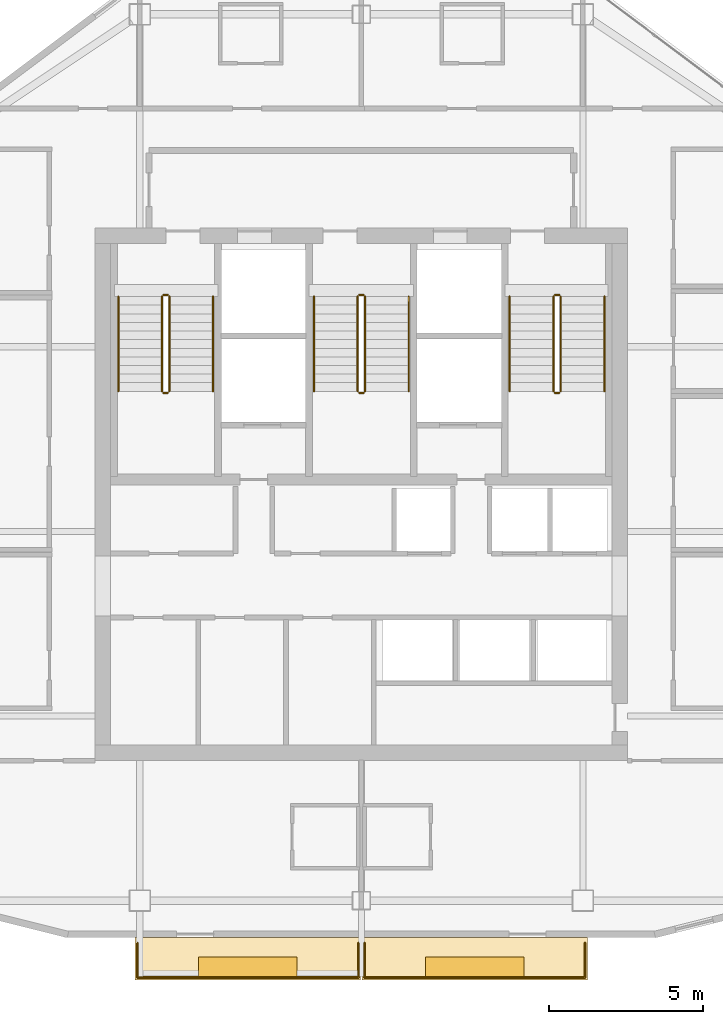
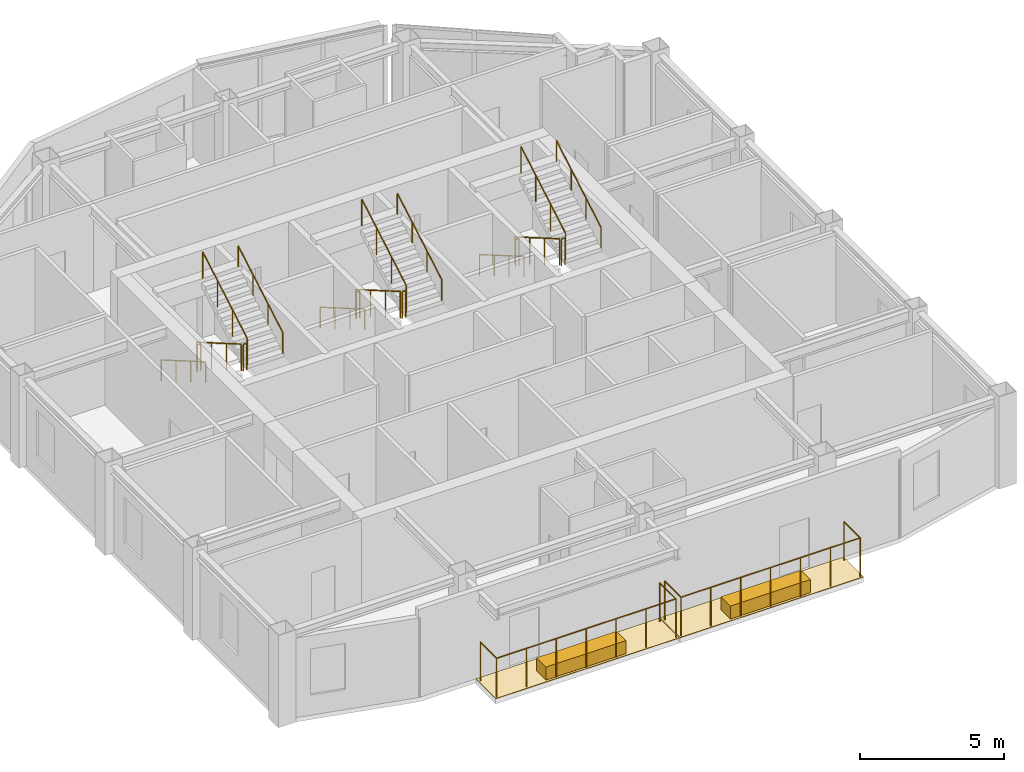
# One storey, part 9 of 10: 22 railings, 4 coverings.
"""IFC4 building model written with IfcOpenShell, lengths in metres."""

from ifc_helpers import new_model, si_unit, direction, frame, origin, origin_2d, place, context, subcontext, project, spatial, polyline, rectangle, circle, outline, extrude, material, layer, layer_set, type_object, element, save


model = new_model("IFC4")

# Units and contexts
model_context = context("Model", 3, precision=1e-05, world=origin(), true_north=direction((0.0, 1.0)))
body_context = subcontext(model_context, "Body", "Model", "MODEL_VIEW")
ifc_project = project(units=[si_unit("LENGTHUNIT", "METRE"), si_unit("AREAUNIT", "SQUARE_METRE"), si_unit("VOLUMEUNIT", "CUBIC_METRE"), si_unit("PLANEANGLEUNIT", "RADIAN"), si_unit("MASSUNIT", "GRAM", prefix="KILO")], contexts=[model_context])

# Site, building, storey
site_placement = place(None, origin())
site = spatial("IfcSite", under=ifc_project, at=site_placement, CompositionType="ELEMENT")
building_placement = place(site_placement, origin())
building = spatial("IfcBuilding", under=site, at=building_placement, Name="Haolan Belvedere Tower", CompositionType="ELEMENT")
storey_placement = place(building_placement, frame((0.0, 0.0, 286.10009765625)))
storey = spatial("IfcBuildingStorey", under=building, at=storey_placement, Name="L72", CompositionType="ELEMENT", Elevation=286.10009765625)

# Coverings
ifc_material_1 = material(Name="Engineered lightweight planted garden soil substrate", Category="masonry")
ifc_layer_1 = layer(ifc_material_1, 0.550048828125, Name="Engineered lightweight planted garden soil substrate")
ifc_layer_set_1 = layer_set([ifc_layer_1], Name="Engineered lightweight planted garden soil substrate")
covering_type_1 = type_object("IfcCoveringType", Name="COV-PLANT-550", PredefinedType="MEMBRANE", material=ifc_layer_set_1)
for number, where, z_axis, x_axis, name in (
    (1, (34.715087890625, 19.43994140625, 0.0), (0.0, 0.0, 1.0), (1.0, 0.0, 0.0), "L72 structural tree balcony PLANTER box 1"),
    (2, (42.0849609375, 19.43994140625, 0.0), (0.0, 0.0, 1.0), (1.0, 0.0, 0.0), "L72 structural tree balcony PLANTER box 2"),
):
    element("IfcCovering", number, at=place(storey_placement, frame(where, z_axis=z_axis, x_axis=x_axis)), inside=storey, type_object=covering_type_1, Name=name, PredefinedType="MEMBRANE", context=body_context, shape_type="SweptSolid", body=[
        extrude(rectangle(XDim=3.199951171875, YDim=0.64990234375, at=origin_2d()), origin(), (0.0, 0.0, 1.0), 0.550048828125),
    ])
ifc_material_2 = material(Name="Elastomeric waterproof roofing membrane and stone pavers", Category="masonry")
ifc_layer_2 = layer(ifc_material_2, 0.02001953125, Name="Elastomeric waterproof roofing membrane and stone pavers")
ifc_layer_set_2 = layer_set([ifc_layer_2], Name="Elastomeric waterproof roofing membrane and stone pavers")
covering_type_2 = type_object("IfcCoveringType", Name="COV-ROOF-20", PredefinedType="ROOFING", material=ifc_layer_set_2)
covering_1_placement = place(storey_placement, frame((0.0, 0.0, -0.02001953125)))
element("IfcCovering", 3, at=covering_1_placement, inside=storey, type_object=covering_type_2, Name="L72 tree-balcony waterproof membrane 1", PredefinedType="ROOFING", context=body_context, shape_type="SweptSolid", body=[
    extrude(outline(polyline([(31.050048828125, 19.02001953125), (38.3798828125, 19.02001953125), (38.3798828125, 20.39990234375), (31.050048828125, 20.39990234375), (31.050048828125, 19.02001953125)])), origin(), (0.0, 0.0, 1.0), 0.02001953125),
])
covering_2_placement = place(storey_placement, frame((0.0, 0.0, -0.02001953125)))
element("IfcCovering", 4, at=covering_2_placement, inside=storey, type_object=covering_type_2, Name="L72 tree-balcony waterproof membrane 2", PredefinedType="ROOFING", context=body_context, shape_type="SweptSolid", body=[
    extrude(outline(polyline([(38.419921875, 19.02001953125), (45.75, 19.02001953125), (45.75, 20.39990234375), (38.419921875, 20.39990234375), (38.419921875, 19.02001953125)])), origin(), (0.0, 0.0, 1.0), 0.02001953125),
])

# Railings
ifc_material_3 = material(Name="Brushed stainless steel 304", Category="steel")
railing_type_1 = type_object("IfcRailingType", Name="RL-STAIR-GRD-1150", PredefinedType="GUARDRAIL", material=ifc_material_3)
railing_1_placement = place(storey_placement, frame((31.919921875, 41.22998046875, 0.162353515625)))
element("IfcRailing", 5, at=railing_1_placement, inside=storey, type_object=railing_type_1, Name="L72 ST1 stair guard 1", PredefinedType="GUARDRAIL", context=body_context, shape_type="SweptSolid", body=[
    extrude(circle(Radius=0.02392578125, at=origin_2d()), frame((0.0, 0.0, 1.1259765625), z_axis=(0.0, -0.864890721111, 0.501960198159), x_axis=(1.0, 0.0, 0.0)), (0.0, 0.0, 1.0), 3.561279296875),
    extrude(circle(Radius=0.02099609375, at=origin_2d()), origin(), (0.0, 0.0, 1.0), 1.101806640625),
    extrude(circle(Radius=0.02099609375, at=origin_2d()), frame((0.0, -1.026611328125, 0.595947265625)), (0.0, 0.0, 1.0), 1.101806640625),
    extrude(circle(Radius=0.02099609375, at=origin_2d()), frame((0.0, -2.053466796875, 1.191650390625)), (0.0, 0.0, 1.0), 1.101806640625),
    extrude(circle(Radius=0.02099609375, at=origin_2d()), frame((0.0, -3.080078125, 1.78759765625)), (0.0, 0.0, 1.0), 1.101806640625),
])
railing_2_placement = place(storey_placement, frame((31.969970703125, 38.10009765625, 1.949951171875)))
element("IfcRailing", 6, at=railing_2_placement, inside=storey, type_object=railing_type_1, Name="L72 ST1 stair guard 2", PredefinedType="GUARDRAIL", context=body_context, shape_type="SweptSolid", body=[
    extrude(circle(Radius=0.02392578125, at=origin_2d()), frame((0.0, 0.0, 1.1259765625), z_axis=(1.0, 0.0, 0.0), x_axis=(0.0, 1.0, 0.0)), (0.0, 0.0, 1.0), 0.14013671875),
    extrude(circle(Radius=0.02099609375, at=origin_2d()), origin(), (0.0, 0.0, 1.0), 1.101806640625),
    extrude(circle(Radius=0.02099609375, at=origin_2d()), frame((0.14013671875, 0.0, 0.0)), (0.0, 0.0, 1.0), 1.101806640625),
])
railing_3_placement = place(storey_placement, frame((32.159912109375, 38.14990234375, 2.1123046875)))
element("IfcRailing", 7, at=railing_3_placement, inside=storey, type_object=railing_type_1, Name="L72 ST1 stair guard 3", PredefinedType="GUARDRAIL", context=body_context, shape_type="SweptSolid", body=[
    extrude(circle(Radius=0.02392578125, at=origin_2d()), frame((0.0, 0.0, 1.1259765625), z_axis=(0.0, 0.864890721111, 0.501960198159), x_axis=(-1.0, 0.0, 0.0)), (0.0, 0.0, 1.0), 3.561279296875),
    extrude(circle(Radius=0.02099609375, at=origin_2d()), origin(), (0.0, 0.0, 1.0), 1.101806640625),
    extrude(circle(Radius=0.02099609375, at=origin_2d()), frame((0.0, 1.026611328125, 0.595947265625)), (0.0, 0.0, 1.0), 1.101806640625),
    extrude(circle(Radius=0.02099609375, at=origin_2d()), frame((0.0, 2.053466796875, 1.191650390625)), (0.0, 0.0, 1.0), 1.101806640625),
    extrude(circle(Radius=0.02099609375, at=origin_2d()), frame((0.0, 3.080078125, 1.78759765625)), (0.0, 0.0, 1.0), 1.101806640625),
])
railing_4_placement = place(storey_placement, frame((31.969970703125, 41.280029296875, 0.0)))
element("IfcRailing", 8, at=railing_4_placement, inside=storey, type_object=railing_type_1, Name="L72 ST1 stair guard 4", PredefinedType="GUARDRAIL", context=body_context, shape_type="SweptSolid", body=[
    extrude(circle(Radius=0.02392578125, at=origin_2d()), frame((0.0, 0.0, 1.1259765625), z_axis=(1.0, 0.0, 0.0), x_axis=(0.0, 1.0, 0.0)), (0.0, 0.0, 1.0), 0.14013671875),
    extrude(circle(Radius=0.02099609375, at=origin_2d()), origin(), (0.0, 0.0, 1.0), 1.101806640625),
    extrude(circle(Radius=0.02099609375, at=origin_2d()), frame((0.14013671875, 0.0, 0.0)), (0.0, 0.0, 1.0), 1.101806640625),
])
railing_5_placement = place(storey_placement, frame((38.280029296875, 41.22998046875, 0.162353515625)))
element("IfcRailing", 9, at=railing_5_placement, inside=storey, type_object=railing_type_1, Name="L72 ST3 stair guard 1", PredefinedType="GUARDRAIL", context=body_context, shape_type="SweptSolid", body=[
    extrude(circle(Radius=0.02392578125, at=origin_2d()), frame((0.0, 0.0, 1.1259765625), z_axis=(0.0, -0.864890721111, 0.501960198159), x_axis=(1.0, 0.0, 0.0)), (0.0, 0.0, 1.0), 3.561279296875),
    extrude(circle(Radius=0.02099609375, at=origin_2d()), origin(), (0.0, 0.0, 1.0), 1.101806640625),
    extrude(circle(Radius=0.02099609375, at=origin_2d()), frame((0.0, -1.026611328125, 0.595947265625)), (0.0, 0.0, 1.0), 1.101806640625),
    extrude(circle(Radius=0.02099609375, at=origin_2d()), frame((0.0, -2.053466796875, 1.191650390625)), (0.0, 0.0, 1.0), 1.101806640625),
    extrude(circle(Radius=0.02099609375, at=origin_2d()), frame((0.0, -3.080078125, 1.78759765625)), (0.0, 0.0, 1.0), 1.101806640625),
])
railing_6_placement = place(storey_placement, frame((38.330078125, 38.10009765625, 1.949951171875)))
element("IfcRailing", 10, at=railing_6_placement, inside=storey, type_object=railing_type_1, Name="L72 ST3 stair guard 2", PredefinedType="GUARDRAIL", context=body_context, shape_type="SweptSolid", body=[
    extrude(circle(Radius=0.02392578125, at=origin_2d()), frame((0.0, 0.0, 1.1259765625), z_axis=(1.0, 0.0, 0.0), x_axis=(0.0, 1.0, 0.0)), (0.0, 0.0, 1.0), 0.139892578125),
    extrude(circle(Radius=0.02099609375, at=origin_2d()), origin(), (0.0, 0.0, 1.0), 1.101806640625),
    extrude(circle(Radius=0.02099609375, at=origin_2d()), frame((0.139892578125, 0.0, 0.0)), (0.0, 0.0, 1.0), 1.101806640625),
])
railing_7_placement = place(storey_placement, frame((38.52001953125, 38.14990234375, 2.1123046875)))
element("IfcRailing", 11, at=railing_7_placement, inside=storey, type_object=railing_type_1, Name="L72 ST3 stair guard 3", PredefinedType="GUARDRAIL", context=body_context, shape_type="SweptSolid", body=[
    extrude(circle(Radius=0.02392578125, at=origin_2d()), frame((0.0, 0.0, 1.1259765625), z_axis=(0.0, 0.864890721111, 0.501960198159), x_axis=(-1.0, 0.0, 0.0)), (0.0, 0.0, 1.0), 3.561279296875),
    extrude(circle(Radius=0.02099609375, at=origin_2d()), origin(), (0.0, 0.0, 1.0), 1.101806640625),
    extrude(circle(Radius=0.02099609375, at=origin_2d()), frame((0.0, 1.026611328125, 0.595947265625)), (0.0, 0.0, 1.0), 1.101806640625),
    extrude(circle(Radius=0.02099609375, at=origin_2d()), frame((0.0, 2.053466796875, 1.191650390625)), (0.0, 0.0, 1.0), 1.101806640625),
    extrude(circle(Radius=0.02099609375, at=origin_2d()), frame((0.0, 3.080078125, 1.78759765625)), (0.0, 0.0, 1.0), 1.101806640625),
])
railing_8_placement = place(storey_placement, frame((38.330078125, 41.280029296875, 0.0)))
element("IfcRailing", 12, at=railing_8_placement, inside=storey, type_object=railing_type_1, Name="L72 ST3 stair guard 4", PredefinedType="GUARDRAIL", context=body_context, shape_type="SweptSolid", body=[
    extrude(circle(Radius=0.02392578125, at=origin_2d()), frame((0.0, 0.0, 1.1259765625), z_axis=(1.0, 0.0, 0.0), x_axis=(0.0, 1.0, 0.0)), (0.0, 0.0, 1.0), 0.139892578125),
    extrude(circle(Radius=0.02099609375, at=origin_2d()), origin(), (0.0, 0.0, 1.0), 1.101806640625),
    extrude(circle(Radius=0.02099609375, at=origin_2d()), frame((0.139892578125, 0.0, 0.0)), (0.0, 0.0, 1.0), 1.101806640625),
])
railing_9_placement = place(storey_placement, frame((44.639892578125, 41.22998046875, 0.162353515625)))
element("IfcRailing", 13, at=railing_9_placement, inside=storey, type_object=railing_type_1, Name="L72 ST2 stair guard 1", PredefinedType="GUARDRAIL", context=body_context, shape_type="SweptSolid", body=[
    extrude(circle(Radius=0.02392578125, at=origin_2d()), frame((0.0, 0.0, 1.1259765625), z_axis=(0.0, -0.864890721111, 0.501960198159), x_axis=(1.0, 0.0, 0.0)), (0.0, 0.0, 1.0), 3.561279296875),
    extrude(circle(Radius=0.02099609375, at=origin_2d()), origin(), (0.0, 0.0, 1.0), 1.101806640625),
    extrude(circle(Radius=0.02099609375, at=origin_2d()), frame((0.0, -1.026611328125, 0.595947265625)), (0.0, 0.0, 1.0), 1.101806640625),
    extrude(circle(Radius=0.02099609375, at=origin_2d()), frame((0.0, -2.053466796875, 1.191650390625)), (0.0, 0.0, 1.0), 1.101806640625),
    extrude(circle(Radius=0.02099609375, at=origin_2d()), frame((0.0, -3.080078125, 1.78759765625)), (0.0, 0.0, 1.0), 1.101806640625),
])
railing_10_placement = place(storey_placement, frame((44.68994140625, 38.10009765625, 1.949951171875)))
element("IfcRailing", 14, at=railing_10_placement, inside=storey, type_object=railing_type_1, Name="L72 ST2 stair guard 2", PredefinedType="GUARDRAIL", context=body_context, shape_type="SweptSolid", body=[
    extrude(circle(Radius=0.02392578125, at=origin_2d()), frame((0.0, 0.0, 1.1259765625), z_axis=(1.0, 0.0, 0.0), x_axis=(0.0, 1.0, 0.0)), (0.0, 0.0, 1.0), 0.14013671875),
    extrude(circle(Radius=0.02099609375, at=origin_2d()), origin(), (0.0, 0.0, 1.0), 1.101806640625),
    extrude(circle(Radius=0.02099609375, at=origin_2d()), frame((0.14013671875, 0.0, 0.0)), (0.0, 0.0, 1.0), 1.101806640625),
])
railing_11_placement = place(storey_placement, frame((44.8798828125, 38.14990234375, 2.1123046875)))
element("IfcRailing", 15, at=railing_11_placement, inside=storey, type_object=railing_type_1, Name="L72 ST2 stair guard 3", PredefinedType="GUARDRAIL", context=body_context, shape_type="SweptSolid", body=[
    extrude(circle(Radius=0.02392578125, at=origin_2d()), frame((0.0, 0.0, 1.1259765625), z_axis=(0.0, 0.864890721111, 0.501960198159), x_axis=(-1.0, 0.0, 0.0)), (0.0, 0.0, 1.0), 3.561279296875),
    extrude(circle(Radius=0.02099609375, at=origin_2d()), origin(), (0.0, 0.0, 1.0), 1.101806640625),
    extrude(circle(Radius=0.02099609375, at=origin_2d()), frame((0.0, 1.026611328125, 0.595947265625)), (0.0, 0.0, 1.0), 1.101806640625),
    extrude(circle(Radius=0.02099609375, at=origin_2d()), frame((0.0, 2.053466796875, 1.191650390625)), (0.0, 0.0, 1.0), 1.101806640625),
    extrude(circle(Radius=0.02099609375, at=origin_2d()), frame((0.0, 3.080078125, 1.78759765625)), (0.0, 0.0, 1.0), 1.101806640625),
])
railing_12_placement = place(storey_placement, frame((44.68994140625, 41.280029296875, 0.0)))
element("IfcRailing", 16, at=railing_12_placement, inside=storey, type_object=railing_type_1, Name="L72 ST2 stair guard 4", PredefinedType="GUARDRAIL", context=body_context, shape_type="SweptSolid", body=[
    extrude(circle(Radius=0.02392578125, at=origin_2d()), frame((0.0, 0.0, 1.1259765625), z_axis=(1.0, 0.0, 0.0), x_axis=(0.0, 1.0, 0.0)), (0.0, 0.0, 1.0), 0.14013671875),
    extrude(circle(Radius=0.02099609375, at=origin_2d()), origin(), (0.0, 0.0, 1.0), 1.101806640625),
    extrude(circle(Radius=0.02099609375, at=origin_2d()), frame((0.14013671875, 0.0, 0.0)), (0.0, 0.0, 1.0), 1.101806640625),
])
railing_type_2 = type_object("IfcRailingType", Name="RL-STAIR-HND-900", PredefinedType="HANDRAIL", material=ifc_material_3)
railing_13_placement = place(storey_placement, frame((30.5, 41.22998046875, 0.162353515625)))
element("IfcRailing", 17, at=railing_13_placement, inside=storey, type_object=railing_type_2, Name="L72 ST1 stair handrail 1", PredefinedType="HANDRAIL", context=body_context, shape_type="SweptSolid", body=[
    extrude(circle(Radius=0.02392578125, at=origin_2d()), frame((0.0, 0.0, 0.8759765625), z_axis=(0.0, -0.864890721111, 0.501960198159), x_axis=(1.0, 0.0, 0.0)), (0.0, 0.0, 1.0), 3.561279296875),
    extrude(circle(Radius=0.02099609375, at=origin_2d()), origin(), (0.0, 0.0, 1.0), 0.851806640625),
    extrude(circle(Radius=0.02099609375, at=origin_2d()), frame((0.0, -1.026611328125, 0.595947265625)), (0.0, 0.0, 1.0), 0.851806640625),
    extrude(circle(Radius=0.02099609375, at=origin_2d()), frame((0.0, -2.053466796875, 1.191650390625)), (0.0, 0.0, 1.0), 0.851806640625),
    extrude(circle(Radius=0.02099609375, at=origin_2d()), frame((0.0, -3.080078125, 1.78759765625)), (0.0, 0.0, 1.0), 0.851806640625),
])
railing_14_placement = place(storey_placement, frame((33.580078125, 38.14990234375, 2.1123046875)))
element("IfcRailing", 18, at=railing_14_placement, inside=storey, type_object=railing_type_2, Name="L72 ST1 stair handrail 2", PredefinedType="HANDRAIL", context=body_context, shape_type="SweptSolid", body=[
    extrude(circle(Radius=0.02392578125, at=origin_2d()), frame((0.0, 0.0, 0.8759765625), z_axis=(0.0, 0.864890721111, 0.501960198159), x_axis=(-1.0, 0.0, 0.0)), (0.0, 0.0, 1.0), 3.561279296875),
    extrude(circle(Radius=0.02099609375, at=origin_2d()), origin(), (0.0, 0.0, 1.0), 0.851806640625),
    extrude(circle(Radius=0.02099609375, at=origin_2d()), frame((0.0, 1.026611328125, 0.595947265625)), (0.0, 0.0, 1.0), 0.851806640625),
    extrude(circle(Radius=0.02099609375, at=origin_2d()), frame((0.0, 2.053466796875, 1.191650390625)), (0.0, 0.0, 1.0), 0.851806640625),
    extrude(circle(Radius=0.02099609375, at=origin_2d()), frame((0.0, 3.080078125, 1.78759765625)), (0.0, 0.0, 1.0), 0.851806640625),
])
railing_15_placement = place(storey_placement, frame((36.860107421875, 41.22998046875, 0.162353515625)))
element("IfcRailing", 19, at=railing_15_placement, inside=storey, type_object=railing_type_2, Name="L72 ST3 stair handrail 1", PredefinedType="HANDRAIL", context=body_context, shape_type="SweptSolid", body=[
    extrude(circle(Radius=0.02392578125, at=origin_2d()), frame((0.0, 0.0, 0.8759765625), z_axis=(0.0, -0.864890721111, 0.501960198159), x_axis=(1.0, 0.0, 0.0)), (0.0, 0.0, 1.0), 3.561279296875),
    extrude(circle(Radius=0.02099609375, at=origin_2d()), origin(), (0.0, 0.0, 1.0), 0.851806640625),
    extrude(circle(Radius=0.02099609375, at=origin_2d()), frame((0.0, -1.026611328125, 0.595947265625)), (0.0, 0.0, 1.0), 0.851806640625),
    extrude(circle(Radius=0.02099609375, at=origin_2d()), frame((0.0, -2.053466796875, 1.191650390625)), (0.0, 0.0, 1.0), 0.851806640625),
    extrude(circle(Radius=0.02099609375, at=origin_2d()), frame((0.0, -3.080078125, 1.78759765625)), (0.0, 0.0, 1.0), 0.851806640625),
])
railing_16_placement = place(storey_placement, frame((39.93994140625, 38.14990234375, 2.1123046875)))
element("IfcRailing", 20, at=railing_16_placement, inside=storey, type_object=railing_type_2, Name="L72 ST3 stair handrail 2", PredefinedType="HANDRAIL", context=body_context, shape_type="SweptSolid", body=[
    extrude(circle(Radius=0.02392578125, at=origin_2d()), frame((0.0, 0.0, 0.8759765625), z_axis=(0.0, 0.864890721111, 0.501960198159), x_axis=(-1.0, 0.0, 0.0)), (0.0, 0.0, 1.0), 3.561279296875),
    extrude(circle(Radius=0.02099609375, at=origin_2d()), origin(), (0.0, 0.0, 1.0), 0.851806640625),
    extrude(circle(Radius=0.02099609375, at=origin_2d()), frame((0.0, 1.026611328125, 0.595947265625)), (0.0, 0.0, 1.0), 0.851806640625),
    extrude(circle(Radius=0.02099609375, at=origin_2d()), frame((0.0, 2.053466796875, 1.191650390625)), (0.0, 0.0, 1.0), 0.851806640625),
    extrude(circle(Radius=0.02099609375, at=origin_2d()), frame((0.0, 3.080078125, 1.78759765625)), (0.0, 0.0, 1.0), 0.851806640625),
])
railing_17_placement = place(storey_placement, frame((43.219970703125, 41.22998046875, 0.162353515625)))
element("IfcRailing", 21, at=railing_17_placement, inside=storey, type_object=railing_type_2, Name="L72 ST2 stair handrail 1", PredefinedType="HANDRAIL", context=body_context, shape_type="SweptSolid", body=[
    extrude(circle(Radius=0.02392578125, at=origin_2d()), frame((0.0, 0.0, 0.8759765625), z_axis=(0.0, -0.864890721111, 0.501960198159), x_axis=(1.0, 0.0, 0.0)), (0.0, 0.0, 1.0), 3.561279296875),
    extrude(circle(Radius=0.02099609375, at=origin_2d()), origin(), (0.0, 0.0, 1.0), 0.851806640625),
    extrude(circle(Radius=0.02099609375, at=origin_2d()), frame((0.0, -1.026611328125, 0.595947265625)), (0.0, 0.0, 1.0), 0.851806640625),
    extrude(circle(Radius=0.02099609375, at=origin_2d()), frame((0.0, -2.053466796875, 1.191650390625)), (0.0, 0.0, 1.0), 0.851806640625),
    extrude(circle(Radius=0.02099609375, at=origin_2d()), frame((0.0, -3.080078125, 1.78759765625)), (0.0, 0.0, 1.0), 0.851806640625),
])
railing_18_placement = place(storey_placement, frame((46.300048828125, 38.14990234375, 2.1123046875)))
element("IfcRailing", 22, at=railing_18_placement, inside=storey, type_object=railing_type_2, Name="L72 ST2 stair handrail 2", PredefinedType="HANDRAIL", context=body_context, shape_type="SweptSolid", body=[
    extrude(circle(Radius=0.02392578125, at=origin_2d()), frame((0.0, 0.0, 0.8759765625), z_axis=(0.0, 0.864890721111, 0.501960198159), x_axis=(-1.0, 0.0, 0.0)), (0.0, 0.0, 1.0), 3.561279296875),
    extrude(circle(Radius=0.02099609375, at=origin_2d()), origin(), (0.0, 0.0, 1.0), 0.851806640625),
    extrude(circle(Radius=0.02099609375, at=origin_2d()), frame((0.0, 1.026611328125, 0.595947265625)), (0.0, 0.0, 1.0), 0.851806640625),
    extrude(circle(Radius=0.02099609375, at=origin_2d()), frame((0.0, 2.053466796875, 1.191650390625)), (0.0, 0.0, 1.0), 0.851806640625),
    extrude(circle(Radius=0.02099609375, at=origin_2d()), frame((0.0, 3.080078125, 1.78759765625)), (0.0, 0.0, 1.0), 0.851806640625),
])
ifc_material_4 = material(Name="Anodised aluminium and laminated glass balustrade", Category="aluminium")
railing_type_3 = type_object("IfcRailingType", Name="RL-TER-BAL-1150", PredefinedType="BALUSTRADE", material=ifc_material_4)
railing_19_placement = place(storey_placement, frame((31.1298828125, 19.10009765625, 0.0)))
element("IfcRailing", 23, at=railing_19_placement, inside=storey, type_object=railing_type_3, Name="L72 outdoor perimeter balustrade BAL-L72-1-1", PredefinedType="BALUSTRADE", context=body_context, shape_type="SweptSolid", body=[
    extrude(circle(Radius=0.02392578125, at=origin_2d()), frame((0.0, 0.0, 1.6259765625), z_axis=(0.0, 1.0, 0.0), x_axis=(-1.0, 0.0, 0.0)), (0.0, 0.0, 1.0), 1.119873046875),
    extrude(circle(Radius=0.02099609375, at=origin_2d()), origin(), (0.0, 0.0, 1.0), 1.601806640625),
    extrude(circle(Radius=0.02099609375, at=origin_2d()), frame((0.0, 1.119873046875, 0.0)), (0.0, 0.0, 1.0), 1.601806640625),
])
railing_20_placement = place(storey_placement, frame((38.300048828125, 20.219970703125, 0.0)))
element("IfcRailing", 24, at=railing_20_placement, inside=storey, type_object=railing_type_3, Name="L72 outdoor perimeter balustrade BAL-L72-1-2", PredefinedType="BALUSTRADE", context=body_context, shape_type="SweptSolid", body=[
    extrude(circle(Radius=0.02392578125, at=origin_2d()), frame((0.0, 0.0, 1.6259765625), z_axis=(0.0, -1.0, 0.0), x_axis=(1.0, 0.0, 0.0)), (0.0, 0.0, 1.0), 1.119873046875),
    extrude(circle(Radius=0.02392578125, at=origin_2d()), frame((0.0, -1.119873046875, 1.6259765625), z_axis=(-1.0, 0.0, 0.0), x_axis=(0.0, -1.0, 0.0)), (0.0, 0.0, 1.0), 7.170166015625),
    extrude(circle(Radius=0.02099609375, at=origin_2d()), origin(), (0.0, 0.0, 1.0), 1.601806640625),
    extrude(circle(Radius=0.02099609375, at=origin_2d()), frame((0.0, -1.119873046875, 0.0)), (0.0, 0.0, 1.0), 1.601806640625),
    extrude(circle(Radius=0.02099609375, at=origin_2d()), frame((-1.195068359375, -1.119873046875, 0.0)), (0.0, 0.0, 1.0), 1.601806640625),
    extrude(circle(Radius=0.02099609375, at=origin_2d()), frame((-2.39013671875, -1.119873046875, 0.0)), (0.0, 0.0, 1.0), 1.601806640625),
    extrude(circle(Radius=0.02099609375, at=origin_2d()), frame((-3.5849609375, -1.119873046875, 0.0)), (0.0, 0.0, 1.0), 1.601806640625),
    extrude(circle(Radius=0.02099609375, at=origin_2d()), frame((-4.780029296875, -1.119873046875, 0.0)), (0.0, 0.0, 1.0), 1.601806640625),
    extrude(circle(Radius=0.02099609375, at=origin_2d()), frame((-5.97509765625, -1.119873046875, 0.0)), (0.0, 0.0, 1.0), 1.601806640625),
    extrude(circle(Radius=0.02099609375, at=origin_2d()), frame((-7.170166015625, -1.119873046875, 0.0)), (0.0, 0.0, 1.0), 1.601806640625),
])
railing_21_placement = place(storey_placement, frame((38.5, 19.10009765625, 0.0)))
element("IfcRailing", 25, at=railing_21_placement, inside=storey, type_object=railing_type_3, Name="L72 outdoor perimeter balustrade BAL-L72-2-1", PredefinedType="BALUSTRADE", context=body_context, shape_type="SweptSolid", body=[
    extrude(circle(Radius=0.02392578125, at=origin_2d()), frame((0.0, 0.0, 1.6259765625), z_axis=(0.0, 1.0, 0.0), x_axis=(-1.0, 0.0, 0.0)), (0.0, 0.0, 1.0), 1.119873046875),
    extrude(circle(Radius=0.02099609375, at=origin_2d()), origin(), (0.0, 0.0, 1.0), 1.601806640625),
    extrude(circle(Radius=0.02099609375, at=origin_2d()), frame((0.0, 1.119873046875, 0.0)), (0.0, 0.0, 1.0), 1.601806640625),
])
railing_22_placement = place(storey_placement, frame((45.669921875, 20.219970703125, 0.0)))
element("IfcRailing", 26, at=railing_22_placement, inside=storey, type_object=railing_type_3, Name="L72 outdoor perimeter balustrade BAL-L72-2-2", PredefinedType="BALUSTRADE", context=body_context, shape_type="SweptSolid", body=[
    extrude(circle(Radius=0.02392578125, at=origin_2d()), frame((0.0, 0.0, 1.6259765625), z_axis=(0.0, -1.0, 0.0), x_axis=(1.0, 0.0, 0.0)), (0.0, 0.0, 1.0), 1.119873046875),
    extrude(circle(Radius=0.02392578125, at=origin_2d()), frame((0.0, -1.119873046875, 1.6259765625), z_axis=(-1.0, 0.0, 0.0), x_axis=(0.0, -1.0, 0.0)), (0.0, 0.0, 1.0), 7.169921875),
    extrude(circle(Radius=0.02099609375, at=origin_2d()), origin(), (0.0, 0.0, 1.0), 1.601806640625),
    extrude(circle(Radius=0.02099609375, at=origin_2d()), frame((0.0, -1.119873046875, 0.0)), (0.0, 0.0, 1.0), 1.601806640625),
    extrude(circle(Radius=0.02099609375, at=origin_2d()), frame((-1.195068359375, -1.119873046875, 0.0)), (0.0, 0.0, 1.0), 1.601806640625),
    extrude(circle(Radius=0.02099609375, at=origin_2d()), frame((-2.389892578125, -1.119873046875, 0.0)), (0.0, 0.0, 1.0), 1.601806640625),
    extrude(circle(Radius=0.02099609375, at=origin_2d()), frame((-3.5849609375, -1.119873046875, 0.0)), (0.0, 0.0, 1.0), 1.601806640625),
    extrude(circle(Radius=0.02099609375, at=origin_2d()), frame((-4.780029296875, -1.119873046875, 0.0)), (0.0, 0.0, 1.0), 1.601806640625),
    extrude(circle(Radius=0.02099609375, at=origin_2d()), frame((-5.974853515625, -1.119873046875, 0.0)), (0.0, 0.0, 1.0), 1.601806640625),
    extrude(circle(Radius=0.02099609375, at=origin_2d()), frame((-7.169921875, -1.119873046875, 0.0)), (0.0, 0.0, 1.0), 1.601806640625),
])

save(model, "model.ifc")
